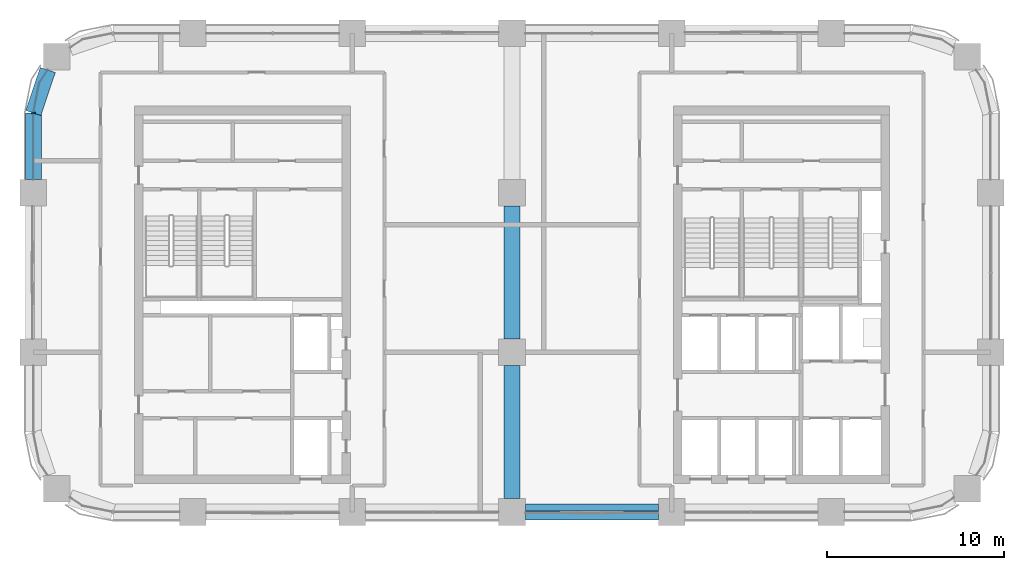
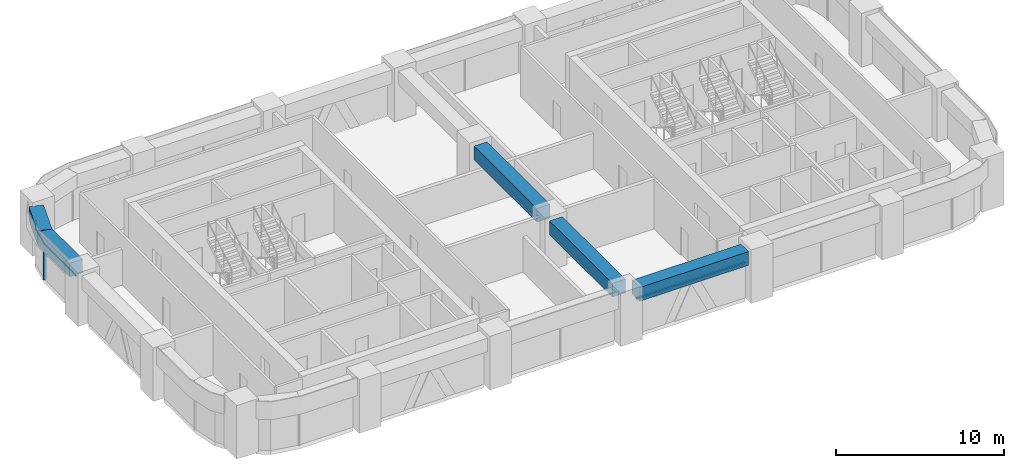
# One storey, part 3 of 18: 5 beams, 3 members, 2 elements without a shape of their own.
"""IFC4 building model written with IfcOpenShell, lengths in metres."""

from ifc_helpers import new_model, si_unit, direction, frame, origin, origin_2d, place, context, subcontext, project, spatial, polyline, rectangle, outline, extrude, material, material_profile, profile_set, type_object, element, aggregate, save


model = new_model("IFC4")

# Units and contexts
model_context = context("Model", 3, precision=1e-05, world=origin(), true_north=direction((0.0, 1.0)))
body_context = subcontext(model_context, "Body", "Model", "MODEL_VIEW")
ifc_project = project(units=[si_unit("LENGTHUNIT", "METRE"), si_unit("AREAUNIT", "SQUARE_METRE"), si_unit("VOLUMEUNIT", "CUBIC_METRE"), si_unit("PLANEANGLEUNIT", "RADIAN"), si_unit("MASSUNIT", "GRAM", prefix="KILO")], contexts=[model_context])

# Site, building, storey
site_placement = place(None, origin())
site = spatial("IfcSite", under=ifc_project, at=site_placement, CompositionType="ELEMENT")
building_placement = place(site_placement, origin())
building = spatial("IfcBuilding", under=site, at=building_placement, Name="Tessera Arch", CompositionType="ELEMENT")
storey_placement = place(building_placement, frame((0.0, 0.0, 185.60009765625)))
storey = spatial("IfcBuildingStorey", under=building, at=storey_placement, Name="L44", CompositionType="ELEMENT", Elevation=185.60009765625)

# Curtain wall, members
ifc_material_1 = material(Name="CW2 curtain wall")
curtain_wall_type_1 = type_object("IfcCurtainWallType", Name="CW2 curtain wall", PredefinedType="NOTDEFINED", material=ifc_material_1)
curtain_wall_1_placement = place(storey_placement, origin())
curtain_wall_1 = element("IfcCurtainWall", 1, at=curtain_wall_1_placement, inside=storey, type_object=curtain_wall_type_1, Name="CW2 curtain wall W0.27/0 L44", PredefinedType="NOTDEFINED")
ifc_material_2 = material(Name="Anodised aluminium pale metal", Category="aluminium")
ifc_material_profile_1 = material_profile(ifc_material_2, rectangle(XDim=0.199951171875, YDim=0.080078125, at=origin_2d()), Name="AL 80x200")
ifc_profile_set_1 = profile_set([ifc_material_profile_1], Name="Anodised aluminium pale metal")
member_type_1 = type_object("IfcMemberType", Name="CW2 mullion", PredefinedType="MULLION", material=ifc_profile_set_1)
member_1_placement = place(storey_placement, frame((0.0, 49.5, 0.0), z_axis=(0.0, 0.0, 1.0), x_axis=(1.0, 0.0, 0.0)))
member_1 = element("IfcMember", 2, at=member_1_placement, type_object=member_type_1, Name="CW2 mullion W0.27/0 1", PredefinedType="MULLION", context=body_context, shape_type="SweptSolid", body=[
    extrude(rectangle(XDim=0.199951171875, YDim=0.080078125, at=origin_2d()), origin(), (0.0, 0.0, 1.0), 2.5),
])
ifc_material_3 = material(Name="Anodised aluminium pale metal", Category="aluminium")
ifc_material_profile_2 = material_profile(ifc_material_3, rectangle(XDim=0.199951171875, YDim=0.10009765625, at=origin_2d()), Name="AL 200x100")
ifc_profile_set_2 = profile_set([ifc_material_profile_2], Name="Anodised aluminium pale metal")
member_type_2 = type_object("IfcMemberType", Name="CW2 transom", PredefinedType="USERDEFINED", material=ifc_profile_set_2)
member_2_placement = place(storey_placement, frame((0.0, 0.0, 2.5)))
member_2 = element("IfcMember", 3, at=member_2_placement, type_object=member_type_2, Name="CW2 transom W0.27/0 1", ObjectType="TRANSOM", PredefinedType="USERDEFINED", context=body_context, shape_type="SweptSolid", body=[
    extrude(outline(polyline([(0.351806640625, 51.21826171875), (0.8251953125, 51.926513671875), (0.80859375, 51.9375), (0.3330078125, 51.22607421875), (-0.010009765625, 49.5009765625), (-0.010009765625, 45.75), (0.010009765625, 45.75), (0.010009765625, 49.4990234375), (0.351806640625, 51.21826171875)])), origin(), (0.0, 0.0, 1.0), 0.099853515625),
])
aggregate(curtain_wall_1, [member_1, member_2])

# Curtain wall, member
ifc_material_4 = material(Name="CW3 curtain wall")
curtain_wall_type_2 = type_object("IfcCurtainWallType", Name="CW3 curtain wall", PredefinedType="NOTDEFINED", material=ifc_material_4)
curtain_wall_2_placement = place(storey_placement, origin())
curtain_wall_2 = element("IfcCurtainWall", 4, at=curtain_wall_2_placement, inside=storey, type_object=curtain_wall_type_2, Name="CW3 curtain wall S27.0/3 L44", PredefinedType="NOTDEFINED")
ifc_material_5 = material(Name="Anodised aluminium pale metal", Category="aluminium")
ifc_material_profile_3 = material_profile(ifc_material_5, rectangle(XDim=0.139892578125, YDim=0.10009765625, at=origin_2d()), Name="AL 140x100")
ifc_profile_set_3 = profile_set([ifc_material_profile_3], Name="Anodised aluminium pale metal")
member_type_3 = type_object("IfcMemberType", Name="CW3 transom", PredefinedType="USERDEFINED", material=ifc_profile_set_3)
member_3_placement = place(storey_placement, frame((27.75, 27.0, 2.5498046875), z_axis=(1.0, 0.0, 0.0), x_axis=(0.0, 1.0, 0.0)))
member_3 = element("IfcMember", 5, at=member_3_placement, type_object=member_type_3, Name="CW3 transom S27.0/3 1.1", ObjectType="TRANSOM", PredefinedType="USERDEFINED", context=body_context, shape_type="SweptSolid", body=[
    extrude(rectangle(XDim=0.139892578125, YDim=0.10009765625, at=origin_2d()), origin(), (0.0, 0.0, 1.0), 7.5),
])
aggregate(curtain_wall_2, [member_3])

# Beams
ifc_material_6 = material(Name="Concrete C70/85", Category="concrete")
ifc_material_profile_4 = material_profile(ifc_material_6, rectangle(XDim=0.89990234375, YDim=1.0, at=origin_2d()), Name="RC spandrel beam 900 x 1000 Concrete C70/85")
ifc_profile_set_4 = profile_set([ifc_material_profile_4], Name="Concrete C70/85")
beam_type = type_object("IfcBeamType", Name="RC spandrel beam 900 x 1000 Concrete C70/85", PredefinedType="BEAM", material=ifc_profile_set_4)
beam_1_placement = place(storey_placement, frame((0.81689453125, 51.931884765625, 3.099853515625), z_axis=(-0.31842525032, -0.947947973234, 0.0), x_axis=(0.947947973234, -0.31842525032, 0.0)))
element("IfcBeam", 6, at=beam_1_placement, inside=storey, type_object=beam_type, Name="Spandrel beam L44 W0.27/0.1", PredefinedType="BEAM", context=body_context, shape_type="SweptSolid", body=[
    extrude(rectangle(XDim=0.89990234375, YDim=1.0, at=origin_2d()), origin(), (0.0, 0.0, 1.0), 2.5654296875),
])
beam_2_placement = place(storey_placement, frame((0.0, 49.5, 3.099853515625), z_axis=(0.0, -1.0, 0.0), x_axis=(1.0, 0.0, 0.0)))
element("IfcBeam", 7, at=beam_2_placement, inside=storey, type_object=beam_type, Name="Spandrel beam L44 W0.27/0.2", PredefinedType="BEAM", context=body_context, shape_type="SweptSolid", body=[
    extrude(rectangle(XDim=0.89990234375, YDim=1.0, at=origin_2d()), origin(), (0.0, 0.0, 1.0), 3.75),
])
for number, where, z_axis, x_axis, name in (
    (8, (27.75, 27.0, 3.099853515625), (1.0, 0.0, 0.0), (0.0, 1.0, 0.0), "Spandrel beam L44 S27.0/3"),
    (9, (27.0, 27.75, 3.099853515625), (0.0, 1.0, 0.0), (-1.0, 0.0, 0.0), "Interface beam L44 I0C4D-C4E"),
    (10, (27.0, 36.75, 3.099853515625), (0.0, 1.0, 0.0), (-1.0, 0.0, 0.0), "Interface beam L44 I0C4E-C4F"),
):
    element("IfcBeam", number, at=place(storey_placement, frame(where, z_axis=z_axis, x_axis=x_axis)), inside=storey, type_object=beam_type, Name=name, PredefinedType="BEAM", context=body_context, shape_type="SweptSolid", body=[
        extrude(rectangle(XDim=0.89990234375, YDim=1.0, at=origin_2d()), origin(), (0.0, 0.0, 1.0), 7.5),
    ])

save(model, "model.ifc")
